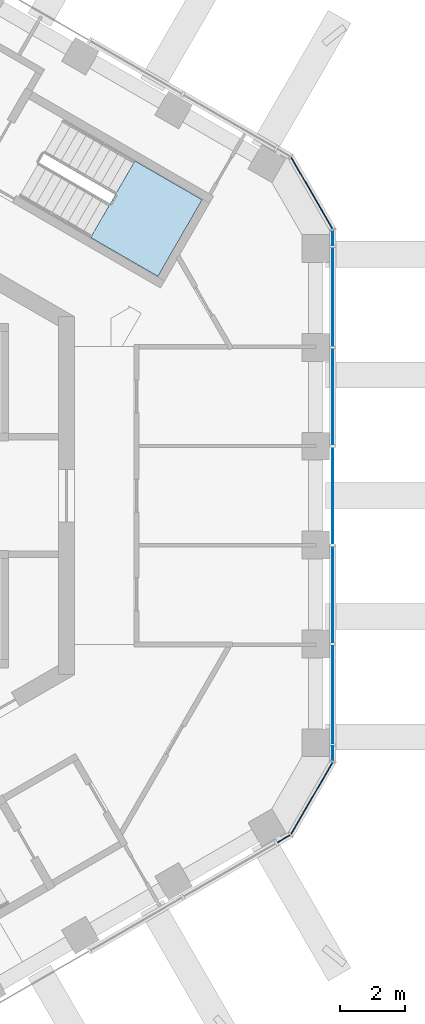
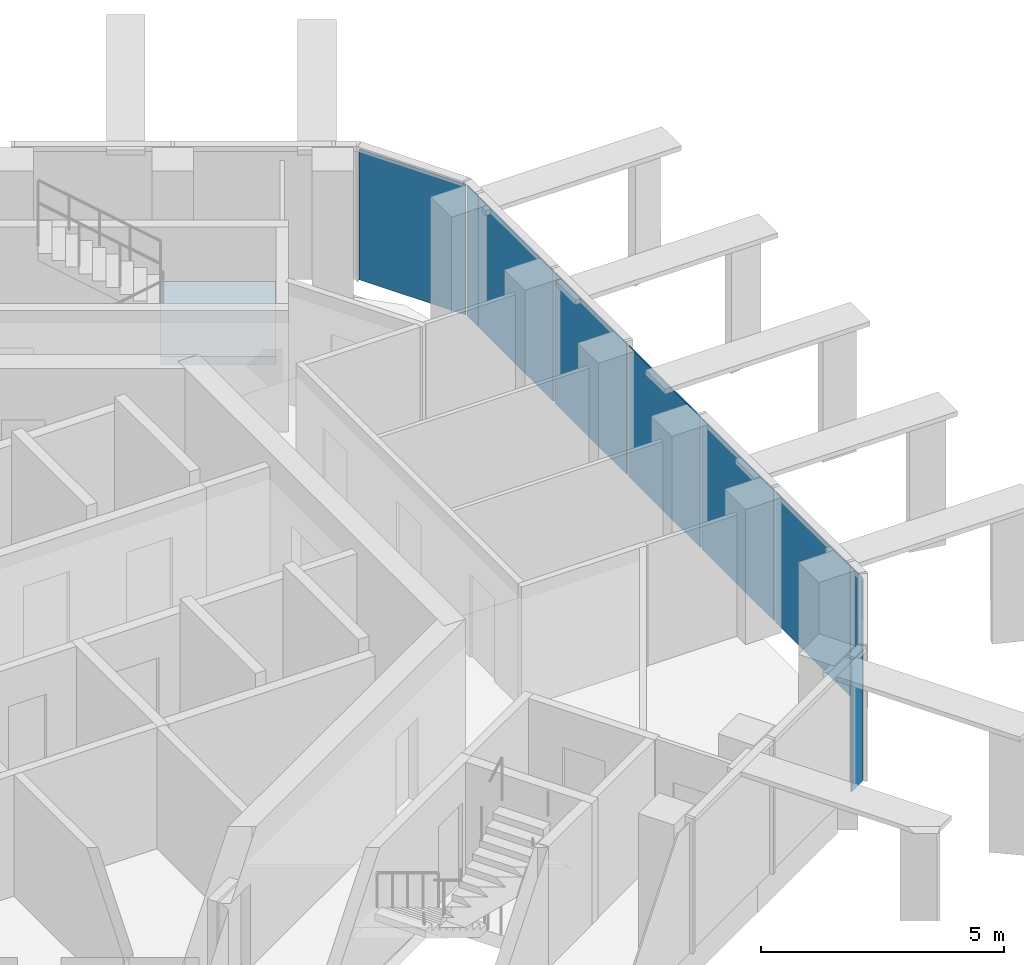
# One storey, part 9 of 18: 10 plates, 1 slab, 4 elements without a shape of their own.
"""IFC4 building model written with IfcOpenShell, lengths in metres."""

from ifc_helpers import new_model, si_unit, direction, frame, origin, origin_2d, place, context, subcontext, project, spatial, polyline, rectangle, outline, extrude, material, layer, layer_set, type_object, element, aggregate, save


model = new_model("IFC4")

# Units and contexts
model_context = context("Model", 3, precision=1e-05, world=origin(), true_north=direction((0.0, 1.0)))
body_context = subcontext(model_context, "Body", "Model", "MODEL_VIEW")
ifc_project = project(units=[si_unit("LENGTHUNIT", "METRE"), si_unit("AREAUNIT", "SQUARE_METRE"), si_unit("VOLUMEUNIT", "CUBIC_METRE"), si_unit("PLANEANGLEUNIT", "RADIAN"), si_unit("MASSUNIT", "GRAM", prefix="KILO")], contexts=[model_context])

# Site, building, storey
site_placement = place(None, origin())
site = spatial("IfcSite", under=ifc_project, at=site_placement, CompositionType="ELEMENT")
building_placement = place(site_placement, origin())
building = spatial("IfcBuilding", under=site, at=building_placement, Name="Ayvan Gate Tower", CompositionType="ELEMENT")
storey_placement = place(building_placement, frame((0.0, 0.0, 239.300048828125)))
storey = spatial("IfcBuildingStorey", under=building, at=storey_placement, Name="L64", CompositionType="ELEMENT", Elevation=239.300048828125)

# Stair, slab
ifc_material_1 = material(Name="Concrete C40/50", Category="concrete")
stair_type = type_object("IfcStairType", Name="ST-EXIT", PredefinedType="HALF_TURN_STAIR", material=ifc_material_1)
stair_placement = place(storey_placement, origin())
stair = element("IfcStair", 1, at=stair_placement, inside=storey, type_object=stair_type, Name="L64 Exit Stair S1", PredefinedType="HALF_TURN_STAIR")
ifc_layer_1 = layer(ifc_material_1, 0.199951171875)
ifc_layer_set_1 = layer_set([ifc_layer_1], Name="Concrete C40/50")
slab_type = type_object("IfcSlabType", Name="SL-LANDING-200", PredefinedType="LANDING", material=ifc_layer_set_1)
slab_placement = place(storey_placement, frame((0.0, 0.0, 1.5)))
slab = element("IfcSlab", 2, at=slab_placement, type_object=slab_type, Name="STS1 landing 1", PredefinedType="LANDING", context=body_context, shape_type="SweptSolid", body=[
    extrude(outline(polyline([(9.988525390625, 7.91064453125), (12.049560546875, 6.720458984375), (13.404541015625, 9.0673828125), (11.343505859375, 10.257568359375), (9.988525390625, 7.91064453125)])), origin(), (0.0, 0.0, 1.0), 0.199951171875),
])
aggregate(stair, [slab])

# Curtain wall, plates
ifc_material_2 = material(Name="Bronze anodised aluminium", Category="aluminium")
ifc_layer_2 = layer(ifc_material_2, 0.199951171875)
ifc_layer_set_2 = layer_set([ifc_layer_2], Name="Bronze anodised aluminium")
curtain_wall_type_1 = type_object("IfcCurtainWallType", Name="Stick curtain wall CW-2", PredefinedType="NOTDEFINED", material=ifc_layer_set_2)
curtain_wall_1_placement = place(storey_placement, origin())
curtain_wall_1 = element("IfcCurtainWall", 3, at=curtain_wall_1_placement, inside=storey, type_object=curtain_wall_type_1, Name="Stick curtain wall CW-2 L64", PredefinedType="NOTDEFINED")
ifc_material_3 = material(Name="Clear low-iron laminated glass", Category="glass")
ifc_layer_3 = layer(ifc_material_3, 0.028076171875)
ifc_layer_set_3 = layer_set([ifc_layer_3], Name="Clear low-iron laminated glass")
plate_type_1 = type_object("IfcPlateType", Name="Stick curtain wall CW-2 glass panel", PredefinedType="CURTAIN_PANEL", material=ifc_layer_set_3)
plate_1_placement = place(storey_placement, frame((17.41259765625, -6.10986328125, 0.0), z_axis=(0.0, 0.0, 1.0), x_axis=(0.0, 1.0, 0.0)))
plate_1 = element("IfcPlate", 4, at=plate_1_placement, type_object=plate_type_1, Name="CW-2 glass panel 1", PredefinedType="CURTAIN_PANEL", context=body_context, shape_type="SweptSolid", body=[
    extrude(rectangle(XDim=3.06201171875, YDim=0.028076171875, at=origin_2d()), origin(), (0.0, 0.0, 1.0), 3.280029296875),
])
plate_2_placement = place(storey_placement, frame((17.41259765625, -3.029296875, 0.0), z_axis=(0.0, 0.0, 1.0), x_axis=(0.0, 1.0, 0.0)))
plate_2 = element("IfcPlate", 5, at=plate_2_placement, type_object=plate_type_1, Name="CW-2 glass panel 2", PredefinedType="CURTAIN_PANEL", context=body_context, shape_type="SweptSolid", body=[
    extrude(rectangle(XDim=2.958984375, YDim=0.028076171875, at=origin_2d()), origin(), (0.0, 0.0, 1.0), 3.280029296875),
])
plate_3_placement = place(storey_placement, frame((17.41259765625, -0.00048828125, 0.0), z_axis=(0.0, 0.0, 1.0), x_axis=(0.0, 1.0, 0.0)))
plate_3 = element("IfcPlate", 6, at=plate_3_placement, type_object=plate_type_1, Name="CW-2 glass panel 3", PredefinedType="CURTAIN_PANEL", context=body_context, shape_type="SweptSolid", body=[
    extrude(rectangle(XDim=2.958984375, YDim=0.028076171875, at=origin_2d()), origin(), (0.0, 0.0, 1.0), 3.280029296875),
])
plate_4_placement = place(storey_placement, frame((17.41259765625, 3.028564453125, 0.0), z_axis=(0.0, 0.0, 1.0), x_axis=(0.0, 1.0, 0.0)))
plate_4 = element("IfcPlate", 7, at=plate_4_placement, type_object=plate_type_1, Name="CW-2 glass panel 4", PredefinedType="CURTAIN_PANEL", context=body_context, shape_type="SweptSolid", body=[
    extrude(rectangle(XDim=2.958984375, YDim=0.028076171875, at=origin_2d()), origin(), (0.0, 0.0, 1.0), 3.280029296875),
])
plate_5_placement = place(storey_placement, frame((17.41259765625, 6.109619140625, 0.0), z_axis=(0.0, 0.0, 1.0), x_axis=(0.0, 1.0, 0.0)))
plate_5 = element("IfcPlate", 8, at=plate_5_placement, type_object=plate_type_1, Name="CW-2 glass panel 5", PredefinedType="CURTAIN_PANEL", context=body_context, shape_type="SweptSolid", body=[
    extrude(rectangle(XDim=3.062744140625, YDim=0.028076171875, at=origin_2d()), origin(), (0.0, 0.0, 1.0), 3.280029296875),
])
aggregate(curtain_wall_1, [plate_1, plate_2, plate_3, plate_4, plate_5])

ifc_layer_4 = layer(ifc_material_2, 0.199951171875)
ifc_layer_set_4 = layer_set([ifc_layer_4], Name="Bronze anodised aluminium")
curtain_wall_type_2 = type_object("IfcCurtainWallType", Name="Stick curtain wall CW-6", PredefinedType="NOTDEFINED", material=ifc_layer_set_4)
curtain_wall_2_placement = place(storey_placement, origin())
curtain_wall_2 = element("IfcCurtainWall", 9, at=curtain_wall_2_placement, inside=storey, type_object=curtain_wall_type_2, Name="Stick curtain wall CW-6 L64", PredefinedType="NOTDEFINED")
ifc_layer_5 = layer(ifc_material_3, 0.028076171875)
ifc_layer_set_5 = layer_set([ifc_layer_5], Name="Clear low-iron laminated glass")
plate_type_2 = type_object("IfcPlateType", Name="Stick curtain wall CW-6 glass panel", PredefinedType="CURTAIN_PANEL", material=ifc_layer_set_5)
plate_6_placement = place(storey_placement, frame((15.90478515625, -10.512451171875, 0.0), z_axis=(0.0, 0.0, 1.0), x_axis=(0.866025403784, 0.5, 0.0)))
plate_6 = element("IfcPlate", 10, at=plate_6_placement, type_object=plate_type_2, Name="CW-6 glass panel 1", PredefinedType="CURTAIN_PANEL", context=body_context, shape_type="SweptSolid", body=[
    extrude(rectangle(XDim=0.449951171875, YDim=0.028076171875, at=origin_2d()), origin(), (0.0, 0.0, 1.0), 3.280029296875),
])
plate_7_placement = place(storey_placement, frame((16.766845703125, -9.269287109375, 0.0), z_axis=(0.0, 0.0, 1.0), x_axis=(0.5, 0.866025403784, 0.0)))
plate_7 = element("IfcPlate", 11, at=plate_7_placement, type_object=plate_type_2, Name="CW-6 glass panel 2", PredefinedType="CURTAIN_PANEL", context=body_context, shape_type="SweptSolid", body=[
    extrude(rectangle(XDim=2.532470703125, YDim=0.028076171875, at=origin_2d()), origin(), (0.0, 0.0, 1.0), 3.280029296875),
])
plate_8_placement = place(storey_placement, frame((17.41259765625, -7.90087890625, 0.0), z_axis=(0.0, 0.0, 1.0), x_axis=(0.0, 1.0, 0.0)))
plate_8 = element("IfcPlate", 12, at=plate_8_placement, type_object=plate_type_2, Name="CW-6 glass panel 3", PredefinedType="CURTAIN_PANEL", context=body_context, shape_type="SweptSolid", body=[
    extrude(rectangle(XDim=0.449951171875, YDim=0.028076171875, at=origin_2d()), origin(), (0.0, 0.0, 1.0), 3.280029296875),
])
aggregate(curtain_wall_2, [plate_6, plate_7, plate_8])

curtain_wall_3_placement = place(storey_placement, origin())
curtain_wall_3 = element("IfcCurtainWall", 13, at=curtain_wall_3_placement, inside=storey, type_object=curtain_wall_type_2, Name="Stick curtain wall CW-6 L64", PredefinedType="NOTDEFINED")
plate_9_placement = place(storey_placement, frame((17.41259765625, 7.90087890625, 0.0), z_axis=(0.0, 0.0, 1.0), x_axis=(0.0, 1.0, 0.0)))
plate_9 = element("IfcPlate", 14, at=plate_9_placement, type_object=plate_type_2, Name="CW-6 glass panel 1", PredefinedType="CURTAIN_PANEL", context=body_context, shape_type="SweptSolid", body=[
    extrude(rectangle(XDim=0.449951171875, YDim=0.028076171875, at=origin_2d()), origin(), (0.0, 0.0, 1.0), 3.280029296875),
])
plate_10_placement = place(storey_placement, frame((16.766845703125, 9.269287109375, 0.0), z_axis=(0.0, 0.0, 1.0), x_axis=(-0.5, 0.866025403784, 0.0)))
plate_10 = element("IfcPlate", 15, at=plate_10_placement, type_object=plate_type_2, Name="CW-6 glass panel 2", PredefinedType="CURTAIN_PANEL", context=body_context, shape_type="SweptSolid", body=[
    extrude(rectangle(XDim=2.532470703125, YDim=0.028076171875, at=origin_2d()), origin(), (0.0, 0.0, 1.0), 3.280029296875),
])
aggregate(curtain_wall_3, [plate_9, plate_10])

save(model, "model.ifc")
